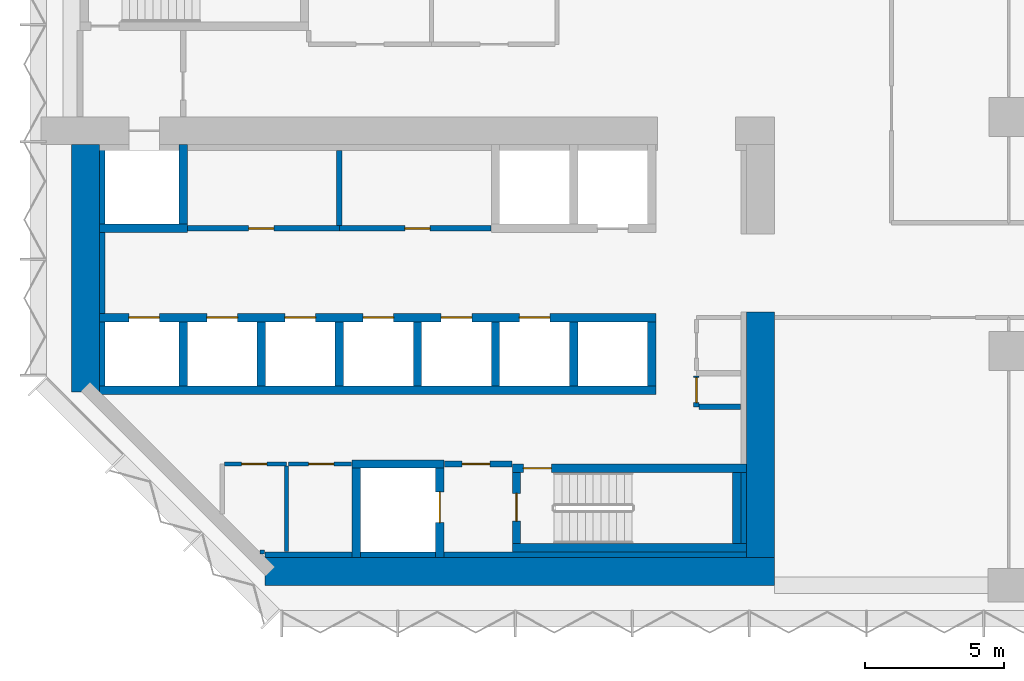
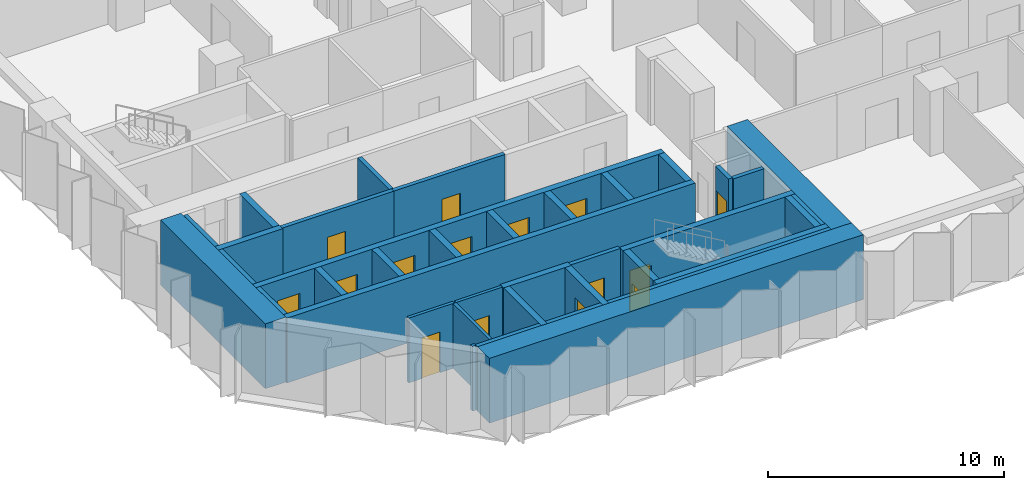
# One storey, part 7 of 15: 38 walls, 15 doors, 15 openings.
"""IFC4 building model written with IfcOpenShell, lengths in metres."""

from ifc_helpers import new_model, si_unit, direction, frame, frame_2d, origin, place, context, subcontext, project, spatial, rectangle, extrude, material, layer, layer_set, type_object, element, fill, save


model = new_model("IFC4")

# Units and contexts
model_context = context("Model", 3, precision=1e-05, world=origin(), true_north=direction((0.0, 1.0)))
body_context = subcontext(model_context, "Body", "Model", "MODEL_VIEW")
ifc_project = project(units=[si_unit("LENGTHUNIT", "METRE"), si_unit("AREAUNIT", "SQUARE_METRE"), si_unit("VOLUMEUNIT", "CUBIC_METRE"), si_unit("PLANEANGLEUNIT", "RADIAN"), si_unit("MASSUNIT", "GRAM", prefix="KILO")], contexts=[model_context])

# Site, building, storey
site_placement = place(None, origin())
site = spatial("IfcSite", under=ifc_project, at=site_placement, CompositionType="ELEMENT")
building_placement = place(site_placement, origin())
building = spatial("IfcBuilding", under=site, at=building_placement, Name="Brevane Broadcast Tower", CompositionType="ELEMENT")
storey_placement = place(building_placement, frame((0.0, 0.0, 68.89990234375)))
storey = spatial("IfcBuildingStorey", under=building, at=storey_placement, Name="L15", CompositionType="ELEMENT", Elevation=68.89990234375)

# Walls
ifc_material_1 = material(Name="Concrete C32/40", Category="concrete")
ifc_layer_1 = layer(ifc_material_1, 0.199951171875)
ifc_layer_set_1 = layer_set([ifc_layer_1], Name="Core chase wall 200 mm")
wall_type_1 = type_object("IfcWallType", Name="Core chase wall 200 mm", PredefinedType="PARTITIONING", material=ifc_layer_set_1)
wall_1_placement = place(storey_placement, frame((1.10009765625, 7.14990234375, 0.0), z_axis=(0.0, 0.0, 1.0), x_axis=(0.0, 1.0, 0.0)))
element("IfcWall", 1, at=wall_1_placement, inside=storey, type_object=wall_type_1, Name="L15 chase wall LW-2-1", PredefinedType="PARTITIONING", context=body_context, shape_type="SweptSolid", body=[
    extrude(rectangle(XDim=2.300048828125, YDim=0.199951171875, at=frame_2d((1.14990234375, 0.0))), origin(), (0.0, 0.0, 1.0), 3.35009765625),
])
wall_2_placement = place(storey_placement, frame((1.10009765625, 9.75, 0.0), z_axis=(0.0, 0.0, 1.0), x_axis=(0.0, 1.0, 0.0)))
element("IfcWall", 2, at=wall_2_placement, inside=storey, type_object=wall_type_1, Name="L15 chase wall LW-2-2-1", PredefinedType="PARTITIONING", context=body_context, shape_type="SweptSolid", body=[
    extrude(rectangle(XDim=2.89990234375, YDim=0.199951171875, at=frame_2d((1.449951171875, 0.0))), origin(), (0.0, 0.0, 1.0), 3.35009765625),
])
wall_3_placement = place(storey_placement, frame((1.10009765625, 12.949951171875, 0.0), z_axis=(0.0, 0.0, 1.0), x_axis=(0.0, 1.0, 0.0)))
element("IfcWall", 3, at=wall_3_placement, inside=storey, type_object=wall_type_1, Name="L15 chase wall LW-2-2-2", PredefinedType="PARTITIONING", context=body_context, shape_type="SweptSolid", body=[
    extrude(rectangle(XDim=2.650146484375, YDim=0.199951171875, at=frame_2d((1.3251953125, 0.0))), origin(), (0.0, 0.0, 1.0), 3.35009765625),
])
wall_4_placement = place(storey_placement, frame((6.936279296875, 1.10009765625, 0.0), z_axis=(0.0, 0.0, 1.0), x_axis=(1.0, 0.0, 0.0)))
element("IfcWall", 4, at=wall_4_placement, inside=storey, type_object=wall_type_1, Name="L15 chase wall LS-1", PredefinedType="PARTITIONING", context=body_context, shape_type="SweptSolid", body=[
    extrude(rectangle(XDim=3.11376953125, YDim=0.199951171875, at=frame_2d((1.556884765625, 0.0))), origin(), (0.0, 0.0, 1.0), 3.35009765625),
])
wall_5_placement = place(storey_placement, frame((10.35009765625, 1.10009765625, 0.0), z_axis=(0.0, 0.0, 1.0), x_axis=(1.0, 0.0, 0.0)))
element("IfcWall", 5, at=wall_5_placement, inside=storey, type_object=wall_type_1, Name="L15 chase wall LS-2-1", PredefinedType="PARTITIONING", context=body_context, shape_type="SweptSolid", body=[
    extrude(rectangle(XDim=2.699951171875, YDim=0.199951171875, at=frame_2d((1.35009765625, 0.0))), origin(), (0.0, 0.0, 1.0), 3.35009765625),
])
wall_6_placement = place(storey_placement, frame((13.35009765625, 1.10009765625, 0.0), z_axis=(0.0, 0.0, 1.0), x_axis=(1.0, 0.0, 0.0)))
element("IfcWall", 6, at=wall_6_placement, inside=storey, type_object=wall_type_1, Name="L15 chase wall LS-2-2", PredefinedType="PARTITIONING", context=body_context, shape_type="SweptSolid", body=[
    extrude(rectangle(XDim=10.849853515625, YDim=0.199951171875, at=frame_2d((5.4248046875, 0.0))), origin(), (0.0, 0.0, 1.0), 3.35009765625),
])
wall_7_placement = place(storey_placement, frame((24.10009765625, 1.5, 0.0), z_axis=(0.0, 0.0, 1.0), x_axis=(0.0, 1.0, 0.0)))
element("IfcWall", 7, at=wall_7_placement, inside=storey, type_object=wall_type_1, Name="L15 chase wall LE1-2-1", PredefinedType="PARTITIONING", context=body_context, shape_type="SweptSolid", body=[
    extrude(rectangle(XDim=2.550048828125, YDim=0.199951171875, at=frame_2d((1.27490234375, 0.0))), origin(), (0.0, 0.0, 1.0), 3.35009765625),
])

# Wall, opening, door
ifc_material_2 = material(Name="Gypsum board on steel studs", Category="steel")
ifc_layer_2 = layer(ifc_material_2, 0.14990234375)
ifc_layer_set_2 = layer_set([ifc_layer_2], Name="Core fire partition 150 mm")
wall_type_2 = type_object("IfcWallType", Name="Core fire partition 150 mm", PredefinedType="PARTITIONING", material=ifc_layer_set_2)
wall_8_placement = place(storey_placement, frame((5.47509765625, 4.35009765625, 0.0), z_axis=(0.0, 0.0, 1.0), x_axis=(1.0, 0.0, 0.0)))
wall_8 = element("IfcWall", 8, at=wall_8_placement, inside=storey, type_object=wall_type_2, Name="L15 partition wall P11", PredefinedType="PARTITIONING", context=body_context, shape_type="SweptSolid", body=[
    extrude(rectangle(XDim=2.224853515625, YDim=0.14990234375, at=frame_2d((1.1123046875, 0.0))), origin(), (0.0, 0.0, 1.0), 3.35009765625),
])
opening_1_placement = place(wall_8_placement, frame((0.625, 0.0, 0.0)))
opening_1 = element("IfcOpeningElement", 9, at=opening_1_placement, cuts=wall_8, Name="Opening L15-K16", PredefinedType="OPENING", context=body_context, shape_type="SweptSolid", body=[
    extrude(rectangle(XDim=0.89990234375, YDim=2.10009765625, at=frame_2d((0.449951171875, 1.050048828125))), frame((0.0, 0.0849609375, 0.0), z_axis=(0.0, -1.0, 0.0), x_axis=(1.0, 0.0, 0.0)), (0.0, 0.0, 1.0), 0.169921875),
])
ifc_material_3 = material(Name="Timber", Category="wood")
door_type_1 = type_object("IfcDoorType", Name="Toilet door 900 x 2100", OperationType="SINGLE_SWING_LEFT", PredefinedType="DOOR", material=ifc_material_3)
door_1_placement = place(opening_1_placement, origin())
door_1 = element("IfcDoor", 10, at=door_1_placement, inside=storey, type_object=door_type_1, Name="Door L15-K16", OperationType="SINGLE_SWING_RIGHT", OverallHeight=2.10009765625, OverallWidth=0.89990234375, PredefinedType="DOOR", context=body_context, shape_type="SweptSolid", body=[
    extrude(rectangle(XDim=0.89990234375, YDim=2.10009765625, at=frame_2d((0.449951171875, 1.050048828125))), frame((0.0, 0.02490234375, 0.0), z_axis=(0.0, -1.0, 0.0), x_axis=(1.0, 0.0, 0.0)), (0.0, 0.0, 1.0), 0.050048828125),
])
fill(opening_1, door_1)

# Walls
wall_9_placement = place(storey_placement, frame((7.699951171875, 4.27490234375, 0.0), z_axis=(0.0, 0.0, 1.0), x_axis=(0.0, -1.0, 0.0)))
element("IfcWall", 11, at=wall_9_placement, inside=storey, type_object=wall_type_2, Name="L15 partition wall P12", PredefinedType="PARTITIONING", context=body_context, shape_type="SweptSolid", body=[
    extrude(rectangle(XDim=3.06298828125, YDim=0.14990234375, at=frame_2d((1.531494140625, 0.0))), origin(), (0.0, 0.0, 1.0), 3.35009765625),
])
wall_10_placement = place(storey_placement, frame((6.92431640625, 1.199951171875, 0.0), z_axis=(0.0, 0.0, 1.0), x_axis=(-1.0, 0.0, 0.0)))
element("IfcWall", 12, at=wall_10_placement, inside=storey, type_object=wall_type_2, Name="L15 partition wall P13", PredefinedType="PARTITIONING", context=body_context, shape_type="SweptSolid", body=[
    extrude(rectangle(XDim=0.1708984375, YDim=0.14990234375, at=frame_2d((0.08544921875, 0.0))), origin(), (0.0, 0.0, 1.0), 3.35009765625),
])

# Wall, opening, door
wall_11_placement = place(storey_placement, frame((10.0380859375, 4.35009765625, 0.0), z_axis=(0.0, 0.0, 1.0), x_axis=(-1.0, 0.0, 0.0)))
wall_11 = element("IfcWall", 13, at=wall_11_placement, inside=storey, type_object=wall_type_2, Name="L15 partition wall P14", PredefinedType="PARTITIONING", context=body_context, shape_type="SweptSolid", body=[
    extrude(rectangle(XDim=2.26318359375, YDim=0.14990234375, at=frame_2d((1.131591796875, 0.0))), origin(), (0.0, 0.0, 1.0), 3.35009765625),
])
opening_2_placement = place(wall_11_placement, frame((0.637939453125, 0.0, 0.0)))
opening_2 = element("IfcOpeningElement", 14, at=opening_2_placement, cuts=wall_11, Name="Opening L15-K17", PredefinedType="OPENING", context=body_context, shape_type="SweptSolid", body=[
    extrude(rectangle(XDim=0.89990234375, YDim=2.10009765625, at=frame_2d((0.449951171875, 1.050048828125))), frame((0.0, 0.0849609375, 0.0), z_axis=(0.0, -1.0, 0.0), x_axis=(1.0, 0.0, 0.0)), (0.0, 0.0, 1.0), 0.169921875),
])
door_2_placement = place(opening_2_placement, origin())
door_2 = element("IfcDoor", 15, at=door_2_placement, inside=storey, type_object=door_type_1, Name="Door L15-K17", OperationType="SINGLE_SWING_LEFT", OverallHeight=2.10009765625, OverallWidth=0.89990234375, PredefinedType="DOOR", context=body_context, shape_type="SweptSolid", body=[
    extrude(rectangle(XDim=0.89990234375, YDim=2.10009765625, at=frame_2d((0.449951171875, 1.050048828125))), frame((0.0, 0.02490234375, 0.0), z_axis=(0.0, -1.0, 0.0), x_axis=(1.0, 0.0, 0.0)), (0.0, 0.0, 1.0), 0.050048828125),
])
fill(opening_2, door_2)

ifc_layer_3 = layer(ifc_material_2, 0.199951171875)
ifc_layer_set_3 = layer_set([ifc_layer_3], Name="Core fire partition 200 mm")
wall_type_3 = type_object("IfcWallType", Name="Core fire partition 200 mm", PredefinedType="PARTITIONING", material=ifc_layer_set_3)
wall_12_placement = place(storey_placement, frame((13.362060546875, 4.35009765625, 0.0), z_axis=(0.0, 0.0, 1.0), x_axis=(1.0, 0.0, 0.0)))
wall_12 = element("IfcWall", 16, at=wall_12_placement, inside=storey, type_object=wall_type_3, Name="L15 partition wall P03", PredefinedType="PARTITIONING", context=body_context, shape_type="SweptSolid", body=[
    extrude(rectangle(XDim=2.426025390625, YDim=0.199951171875, at=frame_2d((1.212890625, 0.0))), origin(), (0.0, 0.0, 1.0), 3.35009765625),
])
opening_3_placement = place(wall_12_placement, frame((0.637939453125, 0.0, 0.0)))
opening_3 = element("IfcOpeningElement", 17, at=opening_3_placement, cuts=wall_12, Name="Opening L15-K18", PredefinedType="OPENING", context=body_context, shape_type="SweptSolid", body=[
    extrude(rectangle(XDim=1.0, YDim=2.10009765625, at=frame_2d((0.5, 1.050048828125))), frame((0.0, 0.10986328125, 0.0), z_axis=(0.0, -1.0, 0.0), x_axis=(1.0, 0.0, 0.0)), (0.0, 0.0, 1.0), 0.219970703125),
])
ifc_material_4 = material(Name="Steel", Category="steel")
door_type_2 = type_object("IfcDoorType", Name="Stair door 1000 x 2100", OperationType="SINGLE_SWING_LEFT", PredefinedType="DOOR", material=ifc_material_4)
door_3_placement = place(opening_3_placement, origin())
door_3 = element("IfcDoor", 18, at=door_3_placement, inside=storey, type_object=door_type_2, Name="Door L15-K18", OperationType="SINGLE_SWING_RIGHT", OverallHeight=2.10009765625, OverallWidth=1.0, PredefinedType="DOOR", context=body_context, shape_type="SweptSolid", body=[
    extrude(rectangle(XDim=1.0, YDim=2.10009765625, at=frame_2d((0.5, 1.050048828125))), frame((0.0, 0.02490234375, 0.0), z_axis=(0.0, -1.0, 0.0), x_axis=(1.0, 0.0, 0.0)), (0.0, 0.0, 1.0), 0.050048828125),
])
fill(opening_3, door_3)

wall_13_placement = place(storey_placement, frame((4.162109375, 12.800048828125, 0.0), z_axis=(0.0, 0.0, 1.0), x_axis=(1.0, 0.0, 0.0)))
wall_13 = element("IfcWall", 19, at=wall_13_placement, inside=storey, type_object=wall_type_3, Name="L15 partition wall P04", PredefinedType="PARTITIONING", context=body_context, shape_type="SweptSolid", body=[
    extrude(rectangle(XDim=5.43798828125, YDim=0.199951171875, at=frame_2d((2.718994140625, 0.0))), origin(), (0.0, 0.0, 1.0), 3.35009765625),
])
opening_4_placement = place(wall_13_placement, frame((2.18798828125, 0.0, 0.0)))
opening_4 = element("IfcOpeningElement", 20, at=opening_4_placement, cuts=wall_13, Name="Opening L15-K21", PredefinedType="OPENING", context=body_context, shape_type="SweptSolid", body=[
    extrude(rectangle(XDim=0.89990234375, YDim=2.10009765625, at=frame_2d((0.449951171875, 1.050048828125))), frame((0.0, 0.10986328125, 0.0), z_axis=(0.0, -1.0, 0.0), x_axis=(1.0, 0.0, 0.0)), (0.0, 0.0, 1.0), 0.219970703125),
])
door_type_3 = type_object("IfcDoorType", Name="Service room door 900 x 2100", OperationType="SINGLE_SWING_LEFT", PredefinedType="DOOR", material=ifc_material_4)
door_4_placement = place(opening_4_placement, origin())
door_4 = element("IfcDoor", 21, at=door_4_placement, inside=storey, type_object=door_type_3, Name="Door L15-K21", OperationType="SINGLE_SWING_LEFT", OverallHeight=2.10009765625, OverallWidth=0.89990234375, PredefinedType="DOOR", context=body_context, shape_type="SweptSolid", body=[
    extrude(rectangle(XDim=0.89990234375, YDim=2.10009765625, at=frame_2d((0.449951171875, 1.050048828125))), frame((0.0, 0.02490234375, 0.0), z_axis=(0.0, -1.0, 0.0), x_axis=(1.0, 0.0, 0.0)), (0.0, 0.0, 1.0), 0.050048828125),
])
fill(opening_4, door_4)

wall_14_placement = place(storey_placement, frame((9.60009765625, 12.800048828125, 0.0), z_axis=(0.0, 0.0, 1.0), x_axis=(1.0, 0.0, 0.0)))
wall_14 = element("IfcWall", 22, at=wall_14_placement, inside=storey, type_object=wall_type_3, Name="L15 partition wall P05", PredefinedType="PARTITIONING", context=body_context, shape_type="SweptSolid", body=[
    extrude(rectangle(XDim=5.43798828125, YDim=0.199951171875, at=frame_2d((2.718994140625, 0.0))), origin(), (0.0, 0.0, 1.0), 3.35009765625),
])
opening_5_placement = place(wall_14_placement, frame((2.35009765625, 0.0, 0.0)))
opening_5 = element("IfcOpeningElement", 23, at=opening_5_placement, cuts=wall_14, Name="Opening L15-K22", PredefinedType="OPENING", context=body_context, shape_type="SweptSolid", body=[
    extrude(rectangle(XDim=0.89990234375, YDim=2.10009765625, at=frame_2d((0.449951171875, 1.050048828125))), frame((0.0, 0.10986328125, 0.0), z_axis=(0.0, -1.0, 0.0), x_axis=(1.0, 0.0, 0.0)), (0.0, 0.0, 1.0), 0.219970703125),
])
door_5_placement = place(opening_5_placement, origin())
door_5 = element("IfcDoor", 24, at=door_5_placement, inside=storey, type_object=door_type_3, Name="Door L15-K22", OperationType="SINGLE_SWING_RIGHT", OverallHeight=2.10009765625, OverallWidth=0.89990234375, PredefinedType="DOOR", context=body_context, shape_type="SweptSolid", body=[
    extrude(rectangle(XDim=0.89990234375, YDim=2.10009765625, at=frame_2d((0.449951171875, 1.050048828125))), frame((0.0, 0.02490234375, 0.0), z_axis=(0.0, -1.0, 0.0), x_axis=(1.0, 0.0, 0.0)), (0.0, 0.0, 1.0), 0.050048828125),
])
fill(opening_5, door_5)

# Wall
wall_15_placement = place(storey_placement, frame((9.60009765625, 15.587890625, 0.0), z_axis=(0.0, 0.0, 1.0), x_axis=(0.0, -1.0, 0.0)))
element("IfcWall", 25, at=wall_15_placement, inside=storey, type_object=wall_type_3, Name="L15 partition wall P06", PredefinedType="PARTITIONING", context=body_context, shape_type="SweptSolid", body=[
    extrude(rectangle(XDim=2.68798828125, YDim=0.199951171875, at=frame_2d((1.343994140625, 0.0))), origin(), (0.0, 0.0, 1.0), 3.35009765625),
])

# Wall, opening, door
wall_16_placement = place(storey_placement, frame((22.39990234375, 7.5, 0.0), z_axis=(0.0, 0.0, 1.0), x_axis=(0.0, -1.0, 0.0)))
wall_16 = element("IfcWall", 26, at=wall_16_placement, inside=storey, type_object=wall_type_3, Name="L15 partition wall P08", PredefinedType="PARTITIONING", context=body_context, shape_type="SweptSolid", body=[
    extrude(rectangle(XDim=1.10009765625, YDim=0.199951171875, at=frame_2d((0.550048828125, 0.0))), origin(), (0.0, 0.0, 1.0), 3.35009765625),
])
opening_6_placement = place(wall_16_placement, frame((0.050048828125, 0.0, 0.0)))
opening_6 = element("IfcOpeningElement", 27, at=opening_6_placement, cuts=wall_16, Name="Opening L15-K19", PredefinedType="OPENING", context=body_context, shape_type="SweptSolid", body=[
    extrude(rectangle(XDim=0.89990234375, YDim=2.10009765625, at=frame_2d((0.449951171875, 1.050048828125))), frame((0.0, 0.10986328125, 0.0), z_axis=(0.0, -1.0, 0.0), x_axis=(1.0, 0.0, 0.0)), (0.0, 0.0, 1.0), 0.219970703125),
])
door_6_placement = place(opening_6_placement, origin())
door_6 = element("IfcDoor", 28, at=door_6_placement, inside=storey, type_object=door_type_3, Name="Door L15-K19", OperationType="SINGLE_SWING_LEFT", OverallHeight=2.10009765625, OverallWidth=0.89990234375, PredefinedType="DOOR", context=body_context, shape_type="SweptSolid", body=[
    extrude(rectangle(XDim=0.89990234375, YDim=2.10009765625, at=frame_2d((0.449951171875, 1.050048828125))), frame((0.0, 0.02490234375, 0.0), z_axis=(0.0, -1.0, 0.0), x_axis=(1.0, 0.0, 0.0)), (0.0, 0.0, 1.0), 0.050048828125),
])
fill(opening_6, door_6)

# Walls
wall_17_placement = place(storey_placement, frame((22.5, 6.39990234375, 0.0), z_axis=(0.0, 0.0, 1.0), x_axis=(1.0, 0.0, 0.0)))
element("IfcWall", 29, at=wall_17_placement, inside=storey, type_object=wall_type_3, Name="L15 partition wall P09", PredefinedType="PARTITIONING", context=body_context, shape_type="SweptSolid", body=[
    extrude(rectangle(XDim=1.488037109375, YDim=0.199951171875, at=frame_2d((0.744140625, 0.0))), origin(), (0.0, 0.0, 1.0), 3.35009765625),
])
ifc_material_5 = material(Name="Concrete C80/95", Category="concrete")
ifc_layer_4 = layer(ifc_material_5, 1.0)
ifc_layer_set_4 = layer_set([ifc_layer_4], Name="Core wall 1000 mm C80/95")
wall_type_4 = type_object("IfcWallType", Name="Core wall 1000 mm C80/95", PredefinedType="SHEAR", material=ifc_layer_set_4)
wall_18_placement = place(storey_placement, frame((6.936279296875, 0.5, 0.0), z_axis=(0.0, 0.0, 1.0), x_axis=(1.0, 0.0, 0.0)))
element("IfcWall", 30, at=wall_18_placement, inside=storey, type_object=wall_type_4, Name="L15 outer wall WS", PredefinedType="SHEAR", context=body_context, shape_type="SweptSolid", body=[
    extrude(rectangle(XDim=18.263671875, YDim=1.0, at=frame_2d((9.1318359375, 0.0))), origin(), (0.0, 0.0, 1.0), 3.35009765625),
])
wall_19_placement = place(storey_placement, frame((0.5, 6.936279296875, 0.0), z_axis=(0.0, 0.0, 1.0), x_axis=(0.0, 1.0, 0.0)))
element("IfcWall", 31, at=wall_19_placement, inside=storey, type_object=wall_type_4, Name="L15 outer wall WW", PredefinedType="SHEAR", context=body_context, shape_type="SweptSolid", body=[
    extrude(rectangle(XDim=8.86376953125, YDim=1.0, at=frame_2d((4.431884765625, 0.0))), origin(), (0.0, 0.0, 1.0), 3.35009765625),
])
wall_20_placement = place(storey_placement, frame((24.699951171875, 1.0, 0.0), z_axis=(0.0, 0.0, 1.0), x_axis=(0.0, 1.0, 0.0)))
element("IfcWall", 32, at=wall_20_placement, inside=storey, type_object=wall_type_4, Name="L15 outer wall WE1", PredefinedType="SHEAR", context=body_context, shape_type="SweptSolid", body=[
    extrude(rectangle(XDim=8.800048828125, YDim=1.0, at=frame_2d((4.39990234375, 0.0))), origin(), (0.0, 0.0, 1.0), 3.35009765625),
])
ifc_layer_5 = layer(ifc_material_5, 0.300048828125)
ifc_layer_set_5 = layer_set([ifc_layer_5], Name="Core wall 300 mm C80/95")
wall_type_5 = type_object("IfcWallType", Name="Core wall 300 mm C80/95", PredefinedType="SHEAR", material=ifc_layer_set_5)
wall_21_placement = place(storey_placement, frame((1.0, 7.0, 0.0), z_axis=(0.0, 0.0, 1.0), x_axis=(1.0, 0.0, 0.0)))
element("IfcWall", 33, at=wall_21_placement, inside=storey, type_object=wall_type_5, Name="L15 shaft wall SH-S012-back", PredefinedType="SHEAR", context=body_context, shape_type="SweptSolid", body=[
    extrude(rectangle(XDim=19.949951171875, YDim=0.300048828125, at=frame_2d((9.97509765625, 0.0))), origin(), (0.0, 0.0, 1.0), 3.35009765625),
])

# Wall, openings, doors
wall_22_placement = place(storey_placement, frame((1.0, 9.60009765625, 0.0), z_axis=(0.0, 0.0, 1.0), x_axis=(1.0, 0.0, 0.0)))
wall_22 = element("IfcWall", 34, at=wall_22_placement, inside=storey, type_object=wall_type_5, Name="L15 shaft wall SH-S012-front", PredefinedType="SHEAR", context=body_context, shape_type="SweptSolid", body=[
    extrude(rectangle(XDim=19.949951171875, YDim=0.300048828125, at=frame_2d((9.97509765625, 0.0))), origin(), (0.0, 0.0, 1.0), 3.35009765625),
])
opening_7_placement = place(wall_22_placement, frame((1.050048828125, 0.0, 0.0)))
opening_7 = element("IfcOpeningElement", 35, at=opening_7_placement, cuts=wall_22, Name="Opening LD", PredefinedType="OPENING", context=body_context, shape_type="SweptSolid", body=[
    extrude(rectangle(XDim=1.10009765625, YDim=2.300048828125, at=frame_2d((0.550048828125, 1.14990234375))), frame((0.0, 0.159912109375, 0.0), z_axis=(0.0, -1.0, 0.0), x_axis=(1.0, 0.0, 0.0)), (0.0, 0.0, 1.0), 0.320068359375),
])
opening_8_placement = place(wall_22_placement, frame((3.85009765625, 0.0, 0.0)))
opening_8 = element("IfcOpeningElement", 36, at=opening_8_placement, cuts=wall_22, Name="Opening LD", PredefinedType="OPENING", context=body_context, shape_type="SweptSolid", body=[
    extrude(rectangle(XDim=1.10009765625, YDim=2.300048828125, at=frame_2d((0.550048828125, 1.14990234375))), frame((0.0, 0.159912109375, 0.0), z_axis=(0.0, -1.0, 0.0), x_axis=(1.0, 0.0, 0.0)), (0.0, 0.0, 1.0), 0.320068359375),
])
opening_9_placement = place(wall_22_placement, frame((6.64990234375, 0.0, 0.0)))
opening_9 = element("IfcOpeningElement", 37, at=opening_9_placement, cuts=wall_22, Name="Opening LD", PredefinedType="OPENING", context=body_context, shape_type="SweptSolid", body=[
    extrude(rectangle(XDim=1.10009765625, YDim=2.300048828125, at=frame_2d((0.550048828125, 1.14990234375))), frame((0.0, 0.159912109375, 0.0), z_axis=(0.0, -1.0, 0.0), x_axis=(1.0, 0.0, 0.0)), (0.0, 0.0, 1.0), 0.320068359375),
])
opening_10_placement = place(wall_22_placement, frame((9.449951171875, 0.0, 0.0)))
opening_10 = element("IfcOpeningElement", 38, at=opening_10_placement, cuts=wall_22, Name="Opening LD", PredefinedType="OPENING", context=body_context, shape_type="SweptSolid", body=[
    extrude(rectangle(XDim=1.10009765625, YDim=2.300048828125, at=frame_2d((0.550048828125, 1.14990234375))), frame((0.0, 0.159912109375, 0.0), z_axis=(0.0, -1.0, 0.0), x_axis=(1.0, 0.0, 0.0)), (0.0, 0.0, 1.0), 0.320068359375),
])
opening_11_placement = place(wall_22_placement, frame((12.25, 0.0, 0.0)))
opening_11 = element("IfcOpeningElement", 39, at=opening_11_placement, cuts=wall_22, Name="Opening LD", PredefinedType="OPENING", context=body_context, shape_type="SweptSolid", body=[
    extrude(rectangle(XDim=1.10009765625, YDim=2.300048828125, at=frame_2d((0.550048828125, 1.14990234375))), frame((0.0, 0.159912109375, 0.0), z_axis=(0.0, -1.0, 0.0), x_axis=(1.0, 0.0, 0.0)), (0.0, 0.0, 1.0), 0.320068359375),
])
opening_12_placement = place(wall_22_placement, frame((15.050048828125, 0.0, 0.0)))
opening_12 = element("IfcOpeningElement", 40, at=opening_12_placement, cuts=wall_22, Name="Opening LD", PredefinedType="OPENING", context=body_context, shape_type="SweptSolid", body=[
    extrude(rectangle(XDim=1.10009765625, YDim=2.300048828125, at=frame_2d((0.550048828125, 1.14990234375))), frame((0.0, 0.159912109375, 0.0), z_axis=(0.0, -1.0, 0.0), x_axis=(1.0, 0.0, 0.0)), (0.0, 0.0, 1.0), 0.320068359375),
])
ifc_material_6 = material(Name="Stainless steel", Category="steel")
door_type_4 = type_object("IfcDoorType", Name="Lift landing door", OperationType="SLIDING_TO_LEFT", PredefinedType="DOOR", material=ifc_material_6)
door_7_placement = place(opening_7_placement, origin())
door_7 = element("IfcDoor", 41, at=door_7_placement, inside=storey, type_object=door_type_4, Name="Landing door LR1 L15", OperationType="SLIDING_TO_LEFT", OverallHeight=2.300048828125, OverallWidth=1.10009765625, PredefinedType="DOOR", context=body_context, shape_type="SweptSolid", body=[
    extrude(rectangle(XDim=1.10009765625, YDim=2.300048828125, at=frame_2d((0.550048828125, 1.14990234375))), frame((0.0, 0.02490234375, 0.0), z_axis=(0.0, -1.0, 0.0), x_axis=(1.0, 0.0, 0.0)), (0.0, 0.0, 1.0), 0.050048828125),
])
fill(opening_7, door_7)
door_8_placement = place(opening_8_placement, origin())
door_8 = element("IfcDoor", 42, at=door_8_placement, inside=storey, type_object=door_type_4, Name="Landing door LR2 L15", OperationType="SLIDING_TO_LEFT", OverallHeight=2.300048828125, OverallWidth=1.10009765625, PredefinedType="DOOR", context=body_context, shape_type="SweptSolid", body=[
    extrude(rectangle(XDim=1.10009765625, YDim=2.300048828125, at=frame_2d((0.550048828125, 1.14990234375))), frame((0.0, 0.02490234375, 0.0), z_axis=(0.0, -1.0, 0.0), x_axis=(1.0, 0.0, 0.0)), (0.0, 0.0, 1.0), 0.050048828125),
])
fill(opening_8, door_8)
door_9_placement = place(opening_9_placement, origin())
door_9 = element("IfcDoor", 43, at=door_9_placement, inside=storey, type_object=door_type_4, Name="Landing door LR3 L15", OperationType="SLIDING_TO_LEFT", OverallHeight=2.300048828125, OverallWidth=1.10009765625, PredefinedType="DOOR", context=body_context, shape_type="SweptSolid", body=[
    extrude(rectangle(XDim=1.10009765625, YDim=2.300048828125, at=frame_2d((0.550048828125, 1.14990234375))), frame((0.0, 0.02490234375, 0.0), z_axis=(0.0, -1.0, 0.0), x_axis=(1.0, 0.0, 0.0)), (0.0, 0.0, 1.0), 0.050048828125),
])
fill(opening_9, door_9)
door_10_placement = place(opening_10_placement, origin())
door_10 = element("IfcDoor", 44, at=door_10_placement, inside=storey, type_object=door_type_4, Name="Landing door LR4 L15", OperationType="SLIDING_TO_LEFT", OverallHeight=2.300048828125, OverallWidth=1.10009765625, PredefinedType="DOOR", context=body_context, shape_type="SweptSolid", body=[
    extrude(rectangle(XDim=1.10009765625, YDim=2.300048828125, at=frame_2d((0.550048828125, 1.14990234375))), frame((0.0, 0.02490234375, 0.0), z_axis=(0.0, -1.0, 0.0), x_axis=(1.0, 0.0, 0.0)), (0.0, 0.0, 1.0), 0.050048828125),
])
fill(opening_10, door_10)
door_11_placement = place(opening_11_placement, origin())
door_11 = element("IfcDoor", 45, at=door_11_placement, inside=storey, type_object=door_type_4, Name="Landing door LR5 L15", OperationType="SLIDING_TO_LEFT", OverallHeight=2.300048828125, OverallWidth=1.10009765625, PredefinedType="DOOR", context=body_context, shape_type="SweptSolid", body=[
    extrude(rectangle(XDim=1.10009765625, YDim=2.300048828125, at=frame_2d((0.550048828125, 1.14990234375))), frame((0.0, 0.02490234375, 0.0), z_axis=(0.0, -1.0, 0.0), x_axis=(1.0, 0.0, 0.0)), (0.0, 0.0, 1.0), 0.050048828125),
])
fill(opening_11, door_11)
door_12_placement = place(opening_12_placement, origin())
door_12 = element("IfcDoor", 46, at=door_12_placement, inside=storey, type_object=door_type_4, Name="Landing door LR6 L15", OperationType="SLIDING_TO_LEFT", OverallHeight=2.300048828125, OverallWidth=1.10009765625, PredefinedType="DOOR", context=body_context, shape_type="SweptSolid", body=[
    extrude(rectangle(XDim=1.10009765625, YDim=2.300048828125, at=frame_2d((0.550048828125, 1.14990234375))), frame((0.0, 0.02490234375, 0.0), z_axis=(0.0, -1.0, 0.0), x_axis=(1.0, 0.0, 0.0)), (0.0, 0.0, 1.0), 0.050048828125),
])
fill(opening_12, door_12)

# Walls
for number, where, z_axis, x_axis, name in (
    (47, (4.0, 7.14990234375, 0.0), (0.0, 0.0, 1.0), (0.0, 1.0, 0.0), "L15 shaft wall SH-S-P040"),
    (48, (6.800048828125, 7.14990234375, 0.0), (0.0, 0.0, 1.0), (0.0, 1.0, 0.0), "L15 shaft wall SH-S-P068"),
    (49, (9.60009765625, 7.14990234375, 0.0), (0.0, 0.0, 1.0), (0.0, 1.0, 0.0), "L15 shaft wall SH-S-P096"),
    (50, (12.39990234375, 7.14990234375, 0.0), (0.0, 0.0, 1.0), (0.0, 1.0, 0.0), "L15 shaft wall SH-S-P124"),
    (51, (15.199951171875, 7.14990234375, 0.0), (0.0, 0.0, 1.0), (0.0, 1.0, 0.0), "L15 shaft wall SH-S-P152"),
    (52, (18.0, 7.14990234375, 0.0), (0.0, 0.0, 1.0), (0.0, 1.0, 0.0), "L15 shaft wall SH-S-P180"),
    (53, (20.800048828125, 7.14990234375, 0.0), (0.0, 0.0, 1.0), (0.0, 1.0, 0.0), "L15 shaft wall SH-S-P208"),
):
    element("IfcWall", number, at=place(storey_placement, frame(where, z_axis=z_axis, x_axis=x_axis)), inside=storey, type_object=wall_type_5, Name=name, PredefinedType="SHEAR", context=body_context, shape_type="SweptSolid", body=[
        extrude(rectangle(XDim=2.300048828125, YDim=0.300048828125, at=frame_2d((1.14990234375, 0.0))), origin(), (0.0, 0.0, 1.0), 3.35009765625),
    ])
wall_23_placement = place(storey_placement, frame((1.0, 12.800048828125, 0.0), z_axis=(0.0, 0.0, 1.0), x_axis=(1.0, 0.0, 0.0)))
element("IfcWall", 54, at=wall_23_placement, inside=storey, type_object=wall_type_5, Name="L15 shaft wall SH-N012-front", PredefinedType="SHEAR", context=body_context, shape_type="SweptSolid", body=[
    extrude(rectangle(XDim=3.14990234375, YDim=0.300048828125, at=frame_2d((1.574951171875, 0.0))), origin(), (0.0, 0.0, 1.0), 3.35009765625),
])
wall_24_placement = place(storey_placement, frame((4.0, 12.949951171875, 0.0), z_axis=(0.0, 0.0, 1.0), x_axis=(0.0, 1.0, 0.0)))
element("IfcWall", 55, at=wall_24_placement, inside=storey, type_object=wall_type_5, Name="L15 shaft wall SH-N-P040", PredefinedType="SHEAR", context=body_context, shape_type="SweptSolid", body=[
    extrude(rectangle(XDim=2.85009765625, YDim=0.300048828125, at=frame_2d((1.425048828125, 0.0))), origin(), (0.0, 0.0, 1.0), 3.35009765625),
])
wall_25_placement = place(storey_placement, frame((10.199951171875, 1.0, 0.0), z_axis=(0.0, 0.0, 1.0), x_axis=(0.0, 1.0, 0.0)))
element("IfcWall", 56, at=wall_25_placement, inside=storey, type_object=wall_type_5, Name="L15 shaft wall FF2-W", PredefinedType="SHEAR", context=body_context, shape_type="SweptSolid", body=[
    extrude(rectangle(XDim=3.199951171875, YDim=0.300048828125, at=frame_2d((1.60009765625, 0.0))), origin(), (0.0, 0.0, 1.0), 3.35009765625),
])

# Wall, opening, door
wall_26_placement = place(storey_placement, frame((13.199951171875, 1.0, 0.0), z_axis=(0.0, 0.0, 1.0), x_axis=(0.0, 1.0, 0.0)))
wall_26 = element("IfcWall", 57, at=wall_26_placement, inside=storey, type_object=wall_type_5, Name="L15 shaft wall FF2-E", PredefinedType="SHEAR", context=body_context, shape_type="SweptSolid", body=[
    extrude(rectangle(XDim=3.199951171875, YDim=0.300048828125, at=frame_2d((1.60009765625, 0.0))), origin(), (0.0, 0.0, 1.0), 3.35009765625),
])
opening_13_placement = place(wall_26_placement, frame((1.25, 0.0, 0.0)))
opening_13 = element("IfcOpeningElement", 58, at=opening_13_placement, cuts=wall_26, Name="Opening LD", PredefinedType="OPENING", context=body_context, shape_type="SweptSolid", body=[
    extrude(rectangle(XDim=1.10009765625, YDim=2.300048828125, at=frame_2d((0.550048828125, 1.14990234375))), frame((0.0, 0.159912109375, 0.0), z_axis=(0.0, -1.0, 0.0), x_axis=(1.0, 0.0, 0.0)), (0.0, 0.0, 1.0), 0.320068359375),
])
door_13_placement = place(opening_13_placement, origin())
door_13 = element("IfcDoor", 59, at=door_13_placement, inside=storey, type_object=door_type_4, Name="Landing door FF2 L15", OperationType="SLIDING_TO_LEFT", OverallHeight=2.300048828125, OverallWidth=1.10009765625, PredefinedType="DOOR", context=body_context, shape_type="SweptSolid", body=[
    extrude(rectangle(XDim=1.10009765625, YDim=2.300048828125, at=frame_2d((0.550048828125, 1.14990234375))), frame((0.0, 0.02490234375, 0.0), z_axis=(0.0, -1.0, 0.0), x_axis=(1.0, 0.0, 0.0)), (0.0, 0.0, 1.0), 0.050048828125),
])
fill(opening_13, door_13)

# Walls
wall_27_placement = place(storey_placement, frame((10.050048828125, 4.35009765625, 0.0), z_axis=(0.0, 0.0, 1.0), x_axis=(1.0, 0.0, 0.0)))
element("IfcWall", 60, at=wall_27_placement, inside=storey, type_object=wall_type_5, Name="L15 shaft wall FF2-N", PredefinedType="SHEAR", context=body_context, shape_type="SweptSolid", body=[
    extrude(rectangle(XDim=3.300048828125, YDim=0.300048828125, at=frame_2d((1.64990234375, 0.0))), origin(), (0.0, 0.0, 1.0), 3.35009765625),
])
wall_28_placement = place(storey_placement, frame((15.800048828125, 1.35009765625, 0.0), z_axis=(0.0, 0.0, 1.0), x_axis=(1.0, 0.0, 0.0)))
element("IfcWall", 61, at=wall_28_placement, inside=storey, type_object=wall_type_5, Name="L15 stair wall ST-2-S", PredefinedType="SHEAR", context=body_context, shape_type="SweptSolid", body=[
    extrude(rectangle(XDim=8.39990234375, YDim=0.300048828125, at=frame_2d((4.199951171875, 0.0))), origin(), (0.0, 0.0, 1.0), 3.35009765625),
])

# Wall, opening, door
wall_29_placement = place(storey_placement, frame((15.800048828125, 4.199951171875, 0.0), z_axis=(0.0, 0.0, 1.0), x_axis=(1.0, 0.0, 0.0)))
wall_29 = element("IfcWall", 62, at=wall_29_placement, inside=storey, type_object=wall_type_5, Name="L15 stair wall ST-2-N", PredefinedType="SHEAR", context=body_context, shape_type="SweptSolid", body=[
    extrude(rectangle(XDim=8.39990234375, YDim=0.300048828125, at=frame_2d((4.199951171875, 0.0))), origin(), (0.0, 0.0, 1.0), 3.35009765625),
])
opening_14_placement = place(wall_29_placement, frame((0.39990234375, 0.0, 0.0)))
opening_14 = element("IfcOpeningElement", 63, at=opening_14_placement, cuts=wall_29, Name="Opening L15-K13", PredefinedType="OPENING", context=body_context, shape_type="SweptSolid", body=[
    extrude(rectangle(XDim=1.0, YDim=2.10009765625, at=frame_2d((0.5, 1.050048828125))), frame((0.0, 0.159912109375, 0.0), z_axis=(0.0, -1.0, 0.0), x_axis=(1.0, 0.0, 0.0)), (0.0, 0.0, 1.0), 0.320068359375),
])
door_14_placement = place(opening_14_placement, origin())
door_14 = element("IfcDoor", 64, at=door_14_placement, inside=storey, type_object=door_type_2, Name="Door L15-K13", OperationType="SINGLE_SWING_LEFT", OverallHeight=2.10009765625, OverallWidth=1.0, PredefinedType="DOOR", context=body_context, shape_type="SweptSolid", body=[
    extrude(rectangle(XDim=1.0, YDim=2.10009765625, at=frame_2d((0.5, 1.050048828125))), frame((0.0, 0.02490234375, 0.0), z_axis=(0.0, -1.0, 0.0), x_axis=(1.0, 0.0, 0.0)), (0.0, 0.0, 1.0), 0.050048828125),
])
fill(opening_14, door_14)

wall_30_placement = place(storey_placement, frame((15.949951171875, 1.5, 0.0), z_axis=(0.0, 0.0, 1.0), x_axis=(0.0, 1.0, 0.0)))
wall_30 = element("IfcWall", 65, at=wall_30_placement, inside=storey, type_object=wall_type_5, Name="L15 stair wall ST-2-W", PredefinedType="SHEAR", context=body_context, shape_type="SweptSolid", body=[
    extrude(rectangle(XDim=2.550048828125, YDim=0.300048828125, at=frame_2d((1.27490234375, 0.0))), origin(), (0.0, 0.0, 1.0), 3.35009765625),
])
opening_15_placement = place(wall_30_placement, frame((0.800048828125, 0.0, 0.0)))
opening_15 = element("IfcOpeningElement", 66, at=opening_15_placement, cuts=wall_30, Name="Opening L15-K12", PredefinedType="OPENING", context=body_context, shape_type="SweptSolid", body=[
    extrude(rectangle(XDim=1.0, YDim=2.10009765625, at=frame_2d((0.5, 1.050048828125))), frame((0.0, 0.159912109375, 0.0), z_axis=(0.0, -1.0, 0.0), x_axis=(1.0, 0.0, 0.0)), (0.0, 0.0, 1.0), 0.320068359375),
])
door_15_placement = place(opening_15_placement, origin())
door_15 = element("IfcDoor", 67, at=door_15_placement, inside=storey, type_object=door_type_2, Name="Door L15-K12", OperationType="SINGLE_SWING_RIGHT", OverallHeight=2.10009765625, OverallWidth=1.0, PredefinedType="DOOR", context=body_context, shape_type="SweptSolid", body=[
    extrude(rectangle(XDim=1.0, YDim=2.10009765625, at=frame_2d((0.5, 1.050048828125))), frame((0.0, 0.02490234375, 0.0), z_axis=(0.0, -1.0, 0.0), x_axis=(1.0, 0.0, 0.0)), (0.0, 0.0, 1.0), 0.050048828125),
])
fill(opening_15, door_15)

# Wall
wall_31_placement = place(storey_placement, frame((23.85009765625, 1.5, 0.0), z_axis=(0.0, 0.0, 1.0), x_axis=(0.0, 1.0, 0.0)))
element("IfcWall", 68, at=wall_31_placement, inside=storey, type_object=wall_type_5, Name="L15 stair wall ST-2-E", PredefinedType="SHEAR", context=body_context, shape_type="SweptSolid", body=[
    extrude(rectangle(XDim=2.550048828125, YDim=0.300048828125, at=frame_2d((1.27490234375, 0.0))), origin(), (0.0, 0.0, 1.0), 3.35009765625),
])

save(model, "model.ifc")
